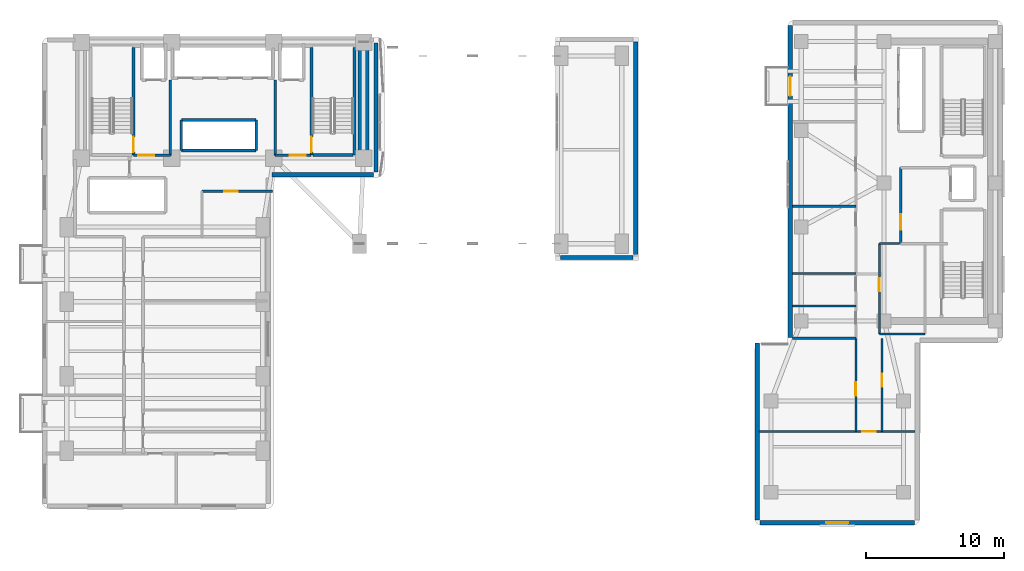
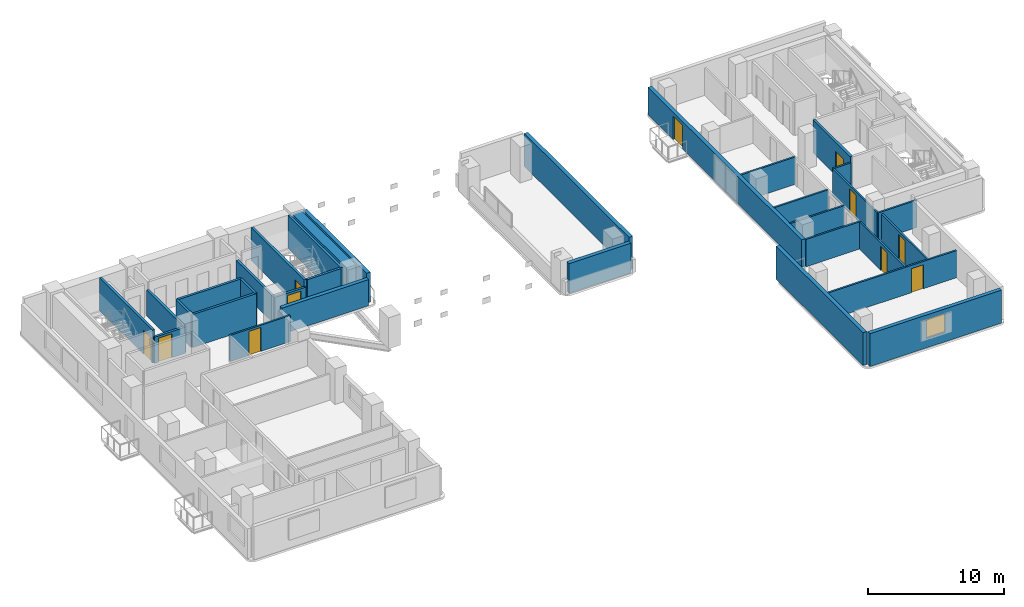
# One storey, part 9 of 14: 32 walls, 11 doors, 1 window, 12 openings.
"""IFC4 building model written with IfcOpenShell, lengths in metres."""

from ifc_helpers import new_model, si_unit, direction, frame, frame_2d, origin, place, context, subcontext, project, spatial, rectangle, extrude, material, layer, layer_set, type_object, element, fill, save


model = new_model("IFC4")

# Units and contexts
model_context = context("Model", 3, precision=1e-05, world=origin(), true_north=direction((0.0, 1.0)))
body_context = subcontext(model_context, "Body", "Model", "MODEL_VIEW")
ifc_project = project(units=[si_unit("LENGTHUNIT", "METRE"), si_unit("AREAUNIT", "SQUARE_METRE"), si_unit("VOLUMEUNIT", "CUBIC_METRE"), si_unit("PLANEANGLEUNIT", "RADIAN"), si_unit("MASSUNIT", "GRAM", prefix="KILO")], contexts=[model_context])

# Site, building, storey
site_placement = place(None, origin())
site = spatial("IfcSite", under=ifc_project, at=site_placement, CompositionType="ELEMENT")
building_placement = place(site_placement, origin())
building = spatial("IfcBuilding", under=site, at=building_placement, Name="Kuzgunbayir Cultural Tower", CompositionType="ELEMENT")
storey_placement = place(building_placement, frame((0.0, 0.0, 36.60009765625)))
storey = spatial("IfcBuildingStorey", under=building, at=storey_placement, Name="L09", CompositionType="ELEMENT", Elevation=36.60009765625)

# Walls
ifc_material_1 = material(Name="Concrete C60/75", Category="concrete")
ifc_layer_1 = layer(ifc_material_1, 0.800048828125)
ifc_layer_set_1 = layer_set([ifc_layer_1], Name="Concrete C60/75")
wall_type_1 = type_object("IfcWallType", Name="WAL-CORE-800", PredefinedType="SHEAR", material=ifc_layer_set_1)
wall_1_placement = place(storey_placement, frame((26.89990234375, 33.800048828125, 0.0), z_axis=(0.0, 0.0, 1.0), x_axis=(0.0, 1.0, 0.0)))
element("IfcWall", 1, at=wall_1_placement, inside=storey, type_object=wall_type_1, Name="L09 T1 Core East Shear Wall", PredefinedType="SHEAR", context=body_context, shape_type="SweptSolid", body=[
    extrude(rectangle(XDim=7.949951171875, YDim=0.800048828125, at=frame_2d((3.97509765625, 0.0))), origin(), (0.0, 0.0, 1.0), 2.9599609375),
])
ifc_material_2 = material(Name="Travertine Buff Ashlar", Category="masonry")
ifc_layer_2 = layer(ifc_material_2, 0.320068359375)
ifc_layer_set_2 = layer_set([ifc_layer_2], Name="Travertine Buff Ashlar")
wall_type_2 = type_object("IfcWallType", Name="WAL-EXT-STONE-320", PredefinedType="STANDARD", material=ifc_layer_set_2)
wall_2_placement = place(storey_placement, frame((27.800048828125, 32.800048828125, 0.0), z_axis=(0.0, 0.0, 1.0), x_axis=(0.0, 1.0, 0.0)))
element("IfcWall", 2, at=wall_2_placement, inside=storey, type_object=wall_type_2, Name="L09 Rear Core East Limestone Wall", PredefinedType="STANDARD", context=body_context, shape_type="SweptSolid", body=[
    extrude(rectangle(XDim=9.349853515625, YDim=0.320068359375, at=frame_2d((4.6748046875, 0.0))), origin(), (0.0, 0.0, 1.0), 2.669921875),
])
wall_3_placement = place(storey_placement, frame((20.25, 32.60009765625, 0.0), z_axis=(0.0, 0.0, 1.0), x_axis=(1.0, 0.0, 0.0)))
element("IfcWall", 3, at=wall_3_placement, inside=storey, type_object=wall_type_2, Name="L09 Core South Soffit Wall", PredefinedType="STANDARD", context=body_context, shape_type="SweptSolid", body=[
    extrude(rectangle(XDim=7.35009765625, YDim=0.320068359375, at=frame_2d((3.675048828125, 0.0))), origin(), (0.0, 0.0, 1.0), 2.349853515625),
])
wall_4_placement = place(storey_placement, frame((41.14990234375, 26.60009765625, 0.0), z_axis=(0.0, 0.0, 1.0), x_axis=(1.0, 0.0, 0.0)))
element("IfcWall", 4, at=wall_4_placement, inside=storey, type_object=wall_type_2, Name="L09 Portal Pier South Wall", PredefinedType="STANDARD", context=body_context, shape_type="SweptSolid", body=[
    extrude(rectangle(XDim=5.25, YDim=0.320068359375, at=frame_2d((2.625, 0.0))), origin(), (0.0, 0.0, 1.0), 2.669921875),
])
wall_5_placement = place(storey_placement, frame((46.60009765625, 26.800048828125, 0.0), z_axis=(0.0, 0.0, 1.0), x_axis=(0.0, 1.0, 0.0)))
element("IfcWall", 5, at=wall_5_placement, inside=storey, type_object=wall_type_2, Name="L09 Portal Pier East Wall", PredefinedType="STANDARD", context=body_context, shape_type="SweptSolid", body=[
    extrude(rectangle(XDim=15.39990234375, YDim=0.320068359375, at=frame_2d((7.699951171875, 0.0))), origin(), (0.0, 0.0, 1.0), 2.9599609375),
])

# Wall, opening, door
wall_6_placement = place(storey_placement, frame((57.800048828125, 43.39990234375, 0.0), z_axis=(0.0, 0.0, 1.0), x_axis=(0.0, -1.0, 0.0)))
wall_6 = element("IfcWall", 6, at=wall_6_placement, inside=storey, type_object=wall_type_2, Name="L09 Companion West Limestone Wall", PredefinedType="STANDARD", context=body_context, shape_type="SweptSolid", body=[
    extrude(rectangle(XDim=22.599853515625, YDim=0.320068359375, at=frame_2d((11.2998046875, 0.0))), origin(), (0.0, 0.0, 1.0), 2.449951171875),
])
opening_1_placement = place(wall_6_placement, frame((3.699951171875, 0.0, 0.0)))
opening_1 = element("IfcOpeningElement", 7, at=opening_1_placement, cuts=wall_6, Name="Opening BD-15", PredefinedType="OPENING", context=body_context, shape_type="SweptSolid", body=[
    extrude(rectangle(XDim=1.39990234375, YDim=2.10009765625, at=frame_2d((0.699951171875, 1.050048828125))), frame((0.0, 0.169921875, 0.0), z_axis=(0.0, -1.0, 0.0), x_axis=(1.0, 0.0, 0.0)), (0.0, 0.0, 1.0), 0.340087890625),
])
ifc_material_3 = material(Name="Thermally Broken Glazed Aluminium", Category="aluminium")
door_type_1 = type_object("IfcDoorType", Name="DR-BALCONY-150", OperationType="SLIDING_TO_RIGHT", PredefinedType="DOOR", material=ifc_material_3)
door_1_placement = place(opening_1_placement, origin())
door_1 = element("IfcDoor", 8, at=door_1_placement, inside=storey, type_object=door_type_1, Name="L09 Companion Balcony Door BAL-L09-T2W3", OperationType="SLIDING_TO_RIGHT", OverallHeight=2.10009765625, OverallWidth=1.39990234375, PredefinedType="DOOR", context=body_context, shape_type="SweptSolid", body=[
    extrude(rectangle(XDim=1.39990234375, YDim=2.10009765625, at=frame_2d((0.699951171875, 1.050048828125))), frame((0.0, 0.02490234375, 0.0), z_axis=(0.0, -1.0, 0.0), x_axis=(1.0, 0.0, 0.0)), (0.0, 0.0, 1.0), 0.050048828125),
])
fill(opening_1, door_1)

# Wall, opening, window
wall_7_placement = place(storey_placement, frame((55.60009765625, 7.39990234375, 0.0), z_axis=(0.0, 0.0, 1.0), x_axis=(1.0, 0.0, 0.0)))
wall_7 = element("IfcWall", 9, at=wall_7_placement, inside=storey, type_object=wall_type_2, Name="L09 Companion Wing B South Wall", PredefinedType="STANDARD", context=body_context, shape_type="SweptSolid", body=[
    extrude(rectangle(XDim=11.199951171875, YDim=0.320068359375, at=frame_2d((5.60009765625, 0.0))), origin(), (0.0, 0.0, 1.0), 2.9599609375),
])
opening_2_placement = place(wall_7_placement, frame((4.800048828125, 0.0, 0.85009765625)))
opening_2 = element("IfcOpeningElement", 10, at=opening_2_placement, cuts=wall_7, Name="Opening WC-16", PredefinedType="OPENING", context=body_context, shape_type="SweptSolid", body=[
    extrude(rectangle(XDim=1.60009765625, YDim=1.699951171875, at=frame_2d((0.800048828125, 0.85009765625))), frame((0.0, 0.169921875, 0.0), z_axis=(0.0, -1.0, 0.0), x_axis=(1.0, 0.0, 0.0)), (0.0, 0.0, 1.0), 0.340087890625),
])
ifc_material_4 = material(Name="Solar-Control Triple Glazing", Category="glass")
window_type = type_object("IfcWindowType", Name="WIN-COMP-16", PartitioningType="SINGLE_PANEL", PredefinedType="WINDOW", material=ifc_material_4)
window_placement = place(opening_2_placement, origin())
window = element("IfcWindow", 11, at=window_placement, inside=storey, type_object=window_type, Name="L09 Companion South Window", OverallHeight=1.699951171875, OverallWidth=1.60009765625, PartitioningType="SINGLE_PANEL", PredefinedType="WINDOW", context=body_context, shape_type="SweptSolid", body=[
    extrude(rectangle(XDim=1.60009765625, YDim=1.699951171875, at=frame_2d((0.800048828125, 0.85009765625))), frame((0.0, 0.030029296875, 0.0), z_axis=(0.0, -1.0, 0.0), x_axis=(1.0, 0.0, 0.0)), (0.0, 0.0, 1.0), 0.06005859375),
])
fill(opening_2, window)

# Wall
wall_8_placement = place(storey_placement, frame((55.39990234375, 20.39990234375, 0.0), z_axis=(0.0, 0.0, 1.0), x_axis=(0.0, -1.0, 0.0)))
element("IfcWall", 12, at=wall_8_placement, inside=storey, type_object=wall_type_2, Name="L09 Companion Wing B West Wall", PredefinedType="STANDARD", context=body_context, shape_type="SweptSolid", body=[
    extrude(rectangle(XDim=12.7998046875, YDim=0.320068359375, at=frame_2d((6.39990234375, 0.0))), origin(), (0.0, 0.0, 1.0), 2.9599609375),
])

# Wall, opening, door
ifc_material_5 = material(Name="Acoustic Double-Stud Drywall", Category="gypsum")
ifc_layer_3 = layer(ifc_material_5, 0.14990234375)
ifc_layer_set_3 = layer_set([ifc_layer_3], Name="Acoustic Double-Stud Drywall")
wall_type_3 = type_object("IfcWallType", Name="WAL-PART-ACOUSTIC-150", PredefinedType="PARTITIONING", material=ifc_layer_set_3)
wall_9_placement = place(storey_placement, frame((15.199951171875, 31.39990234375, 0.0), z_axis=(0.0, 0.0, 1.0), x_axis=(1.0, 0.0, 0.0)))
wall_9 = element("IfcWall", 13, at=wall_9_placement, inside=storey, type_object=wall_type_3, Name="L09 Central Sky Salon North Wall", PredefinedType="PARTITIONING", context=body_context, shape_type="SweptSolid", body=[
    extrude(rectangle(XDim=5.10009765625, YDim=0.14990234375, at=frame_2d((2.550048828125, 0.0))), origin(), (0.0, 0.0, 1.0), 2.349853515625),
])
opening_3_placement = place(wall_9_placement, frame((1.60009765625, 0.0, 0.0)))
opening_3 = element("IfcOpeningElement", 14, at=opening_3_placement, cuts=wall_9, Name="Opening DI-100", PredefinedType="OPENING", context=body_context, shape_type="SweptSolid", body=[
    extrude(rectangle(XDim=1.0, YDim=2.14990234375, at=frame_2d((0.5, 1.074951171875))), frame((0.0, 0.0849609375, 0.0), z_axis=(0.0, -1.0, 0.0), x_axis=(1.0, 0.0, 0.0)), (0.0, 0.0, 1.0), 0.169921875),
])
ifc_material_6 = material(Name="Veneered Oak Single Leaf", Category="wood")
door_type_2 = type_object("IfcDoorType", Name="DR-INT-100", OperationType="NOTDEFINED", PredefinedType="DOOR", material=ifc_material_6)
door_2_placement = place(opening_3_placement, origin())
door_2 = element("IfcDoor", 15, at=door_2_placement, inside=storey, type_object=door_type_2, Name="L09 Central Sky Salon Door", OperationType="SINGLE_SWING_RIGHT", OverallHeight=2.14990234375, OverallWidth=1.0, PredefinedType="DOOR", context=body_context, shape_type="SweptSolid", body=[
    extrude(rectangle(XDim=1.0, YDim=2.14990234375, at=frame_2d((0.5, 1.074951171875))), frame((0.0, 0.02490234375, 0.0), z_axis=(0.0, -1.0, 0.0), x_axis=(1.0, 0.0, 0.0)), (0.0, 0.0, 1.0), 0.050048828125),
])
fill(opening_3, door_2)

wall_10_placement = place(storey_placement, frame((64.25, 21.050048828125, 0.0), z_axis=(0.0, 0.0, 1.0), x_axis=(0.0, 1.0, 0.0)))
wall_10 = element("IfcWall", 16, at=wall_10_placement, inside=storey, type_object=wall_type_3, Name="L09 Companion Archive West Wall", PredefinedType="PARTITIONING", context=body_context, shape_type="SweptSolid", body=[
    extrude(rectangle(XDim=6.550048828125, YDim=0.14990234375, at=frame_2d((3.27490234375, 0.0))), origin(), (0.0, 0.0, 1.0), 2.449951171875),
])
opening_4_placement = place(wall_10_placement, frame((3.10009765625, 0.0, 0.0)))
opening_4 = element("IfcOpeningElement", 17, at=opening_4_placement, cuts=wall_10, Name="Opening DI-90", PredefinedType="OPENING", context=body_context, shape_type="SweptSolid", body=[
    extrude(rectangle(XDim=0.949951171875, YDim=2.14990234375, at=frame_2d((0.47509765625, 1.074951171875))), frame((0.0, 0.0849609375, 0.0), z_axis=(0.0, -1.0, 0.0), x_axis=(1.0, 0.0, 0.0)), (0.0, 0.0, 1.0), 0.169921875),
])
door_type_3 = type_object("IfcDoorType", Name="DR-INT-90", OperationType="NOTDEFINED", PredefinedType="DOOR", material=ifc_material_6)
door_3_placement = place(opening_4_placement, origin())
door_3 = element("IfcDoor", 18, at=door_3_placement, inside=storey, type_object=door_type_3, Name="L09 Companion Archive Door", OperationType="SINGLE_SWING_RIGHT", OverallHeight=2.14990234375, OverallWidth=0.949951171875, PredefinedType="DOOR", context=body_context, shape_type="SweptSolid", body=[
    extrude(rectangle(XDim=0.949951171875, YDim=2.14990234375, at=frame_2d((0.47509765625, 1.074951171875))), frame((0.0, 0.02490234375, 0.0), z_axis=(0.0, -1.0, 0.0), x_axis=(1.0, 0.0, 0.0)), (0.0, 0.0, 1.0), 0.050048828125),
])
fill(opening_4, door_3)

# Walls
wall_11_placement = place(storey_placement, frame((64.25, 21.050048828125, 0.0), z_axis=(0.0, 0.0, 1.0), x_axis=(1.0, 0.0, 0.0)))
element("IfcWall", 19, at=wall_11_placement, inside=storey, type_object=wall_type_3, Name="L09 Companion Archive South Wall", PredefinedType="PARTITIONING", context=body_context, shape_type="SweptSolid", body=[
    extrude(rectangle(XDim=3.300048828125, YDim=0.14990234375, at=frame_2d((1.64990234375, 0.0))), origin(), (0.0, 0.0, 1.0), 2.449951171875),
])
wall_12_placement = place(storey_placement, frame((64.25, 27.60009765625, 0.0), z_axis=(0.0, 0.0, 1.0), x_axis=(1.0, 0.0, 0.0)))
element("IfcWall", 20, at=wall_12_placement, inside=storey, type_object=wall_type_3, Name="L09 Companion Archive North Wall", PredefinedType="PARTITIONING", context=body_context, shape_type="SweptSolid", body=[
    extrude(rectangle(XDim=1.469970703125, YDim=0.14990234375, at=frame_2d((0.73486328125, 0.0))), origin(), (0.0, 0.0, 1.0), 2.449951171875),
])
wall_13_placement = place(storey_placement, frame((57.949951171875, 30.31005859375, 0.0), z_axis=(0.0, 0.0, 1.0), x_axis=(1.0, 0.0, 0.0)))
element("IfcWall", 21, at=wall_13_placement, inside=storey, type_object=wall_type_3, Name="L09 Companion Studio Partition 1", PredefinedType="PARTITIONING", context=body_context, shape_type="SweptSolid", body=[
    extrude(rectangle(XDim=4.60009765625, YDim=0.14990234375, at=frame_2d((2.300048828125, 0.0))), origin(), (0.0, 0.0, 1.0), 2.449951171875),
])

# Wall, opening, door
wall_14_placement = place(storey_placement, frame((62.550048828125, 14.0, 0.0), z_axis=(0.0, 0.0, 1.0), x_axis=(0.0, 1.0, 0.0)))
wall_14 = element("IfcWall", 22, at=wall_14_placement, inside=storey, type_object=wall_type_3, Name="L09 Companion South Corridor West Wall", PredefinedType="PARTITIONING", context=body_context, shape_type="SweptSolid", body=[
    extrude(rectangle(XDim=6.75, YDim=0.14990234375, at=frame_2d((3.375, 0.0))), origin(), (0.0, 0.0, 1.0), 2.449951171875),
])
opening_5_placement = place(wall_14_placement, frame((2.60009765625, 0.0, 0.0)))
opening_5 = element("IfcOpeningElement", 23, at=opening_5_placement, cuts=wall_14, Name="Opening DI-90", PredefinedType="OPENING", context=body_context, shape_type="SweptSolid", body=[
    extrude(rectangle(XDim=0.949951171875, YDim=2.14990234375, at=frame_2d((0.47509765625, 1.074951171875))), frame((0.0, 0.0849609375, 0.0), z_axis=(0.0, -1.0, 0.0), x_axis=(1.0, 0.0, 0.0)), (0.0, 0.0, 1.0), 0.169921875),
])
door_4_placement = place(opening_5_placement, origin())
door_4 = element("IfcDoor", 24, at=door_4_placement, inside=storey, type_object=door_type_3, Name="L09 Companion West Atelier Door", OperationType="SINGLE_SWING_RIGHT", OverallHeight=2.14990234375, OverallWidth=0.949951171875, PredefinedType="DOOR", context=body_context, shape_type="SweptSolid", body=[
    extrude(rectangle(XDim=0.949951171875, YDim=2.14990234375, at=frame_2d((0.47509765625, 1.074951171875))), frame((0.0, 0.02490234375, 0.0), z_axis=(0.0, -1.0, 0.0), x_axis=(1.0, 0.0, 0.0)), (0.0, 0.0, 1.0), 0.050048828125),
])
fill(opening_5, door_4)

wall_15_placement = place(storey_placement, frame((55.550048828125, 14.0, 0.0), z_axis=(0.0, 0.0, 1.0), x_axis=(1.0, 0.0, 0.0)))
wall_15 = element("IfcWall", 25, at=wall_15_placement, inside=storey, type_object=wall_type_3, Name="L09 Companion South Gallery Wall", PredefinedType="PARTITIONING", context=body_context, shape_type="SweptSolid", body=[
    extrude(rectangle(XDim=11.300048828125, YDim=0.14990234375, at=frame_2d((5.64990234375, 0.0))), origin(), (0.0, 0.0, 1.0), 2.449951171875),
])
opening_6_placement = place(wall_15_placement, frame((7.449951171875, 0.0, 0.0)))
opening_6 = element("IfcOpeningElement", 26, at=opening_6_placement, cuts=wall_15, Name="Opening DI-100", PredefinedType="OPENING", context=body_context, shape_type="SweptSolid", body=[
    extrude(rectangle(XDim=1.0, YDim=2.14990234375, at=frame_2d((0.5, 1.074951171875))), frame((0.0, 0.0849609375, 0.0), z_axis=(0.0, -1.0, 0.0), x_axis=(1.0, 0.0, 0.0)), (0.0, 0.0, 1.0), 0.169921875),
])
door_5_placement = place(opening_6_placement, origin())
door_5 = element("IfcDoor", 27, at=door_5_placement, inside=storey, type_object=door_type_2, Name="L09 Companion South Salon Door", OperationType="SINGLE_SWING_RIGHT", OverallHeight=2.14990234375, OverallWidth=1.0, PredefinedType="DOOR", context=body_context, shape_type="SweptSolid", body=[
    extrude(rectangle(XDim=1.0, YDim=2.14990234375, at=frame_2d((0.5, 1.074951171875))), frame((0.0, 0.02490234375, 0.0), z_axis=(0.0, -1.0, 0.0), x_axis=(1.0, 0.0, 0.0)), (0.0, 0.0, 1.0), 0.050048828125),
])
fill(opening_6, door_5)

wall_16_placement = place(storey_placement, frame((64.449951171875, 14.0, 0.0), z_axis=(0.0, 0.0, 1.0), x_axis=(0.0, 1.0, 0.0)))
wall_16 = element("IfcWall", 28, at=wall_16_placement, inside=storey, type_object=wall_type_3, Name="L09 Companion South Corridor East Wall", PredefinedType="PARTITIONING", context=body_context, shape_type="SweptSolid", body=[
    extrude(rectangle(XDim=6.75, YDim=0.14990234375, at=frame_2d((3.375, 0.0))), origin(), (0.0, 0.0, 1.0), 2.449951171875),
])
opening_7_placement = place(wall_16_placement, frame((3.239990234375, 0.0, 0.0)))
opening_7 = element("IfcOpeningElement", 29, at=opening_7_placement, cuts=wall_16, Name="Opening DI-90", PredefinedType="OPENING", context=body_context, shape_type="SweptSolid", body=[
    extrude(rectangle(XDim=0.949951171875, YDim=2.14990234375, at=frame_2d((0.47509765625, 1.074951171875))), frame((0.0, 0.0849609375, 0.0), z_axis=(0.0, -1.0, 0.0), x_axis=(1.0, 0.0, 0.0)), (0.0, 0.0, 1.0), 0.169921875),
])
door_6_placement = place(opening_7_placement, origin())
door_6 = element("IfcDoor", 30, at=door_6_placement, inside=storey, type_object=door_type_3, Name="L09 Companion East Studio Door", OperationType="SINGLE_SWING_LEFT", OverallHeight=2.14990234375, OverallWidth=0.949951171875, PredefinedType="DOOR", context=body_context, shape_type="SweptSolid", body=[
    extrude(rectangle(XDim=0.949951171875, YDim=2.14990234375, at=frame_2d((0.47509765625, 1.074951171875))), frame((0.0, 0.02490234375, 0.0), z_axis=(0.0, -1.0, 0.0), x_axis=(1.0, 0.0, 0.0)), (0.0, 0.0, 1.0), 0.050048828125),
])
fill(opening_7, door_6)

# Wall
ifc_material_7 = material(Name="Aerated Concrete Blockwork", Category="masonry")
ifc_layer_4 = layer(ifc_material_7, 0.199951171875)
ifc_layer_set_4 = layer_set([ifc_layer_4], Name="Aerated Concrete Blockwork")
wall_type_4 = type_object("IfcWallType", Name="WAL-PART-FIRE-200", PredefinedType="PARTITIONING", material=ifc_layer_set_4)
wall_17_placement = place(storey_placement, frame((12.89990234375, 34.0, 0.0), z_axis=(0.0, 0.0, 1.0), x_axis=(0.0, 1.0, 0.0)))
element("IfcWall", 31, at=wall_17_placement, inside=storey, type_object=wall_type_4, Name="L09 FFL-1 Lobby East Fire Wall", PredefinedType="PARTITIONING", context=body_context, shape_type="SweptSolid", body=[
    extrude(rectangle(XDim=5.449951171875, YDim=0.199951171875, at=frame_2d((2.72509765625, 0.0))), origin(), (0.0, 0.0, 1.0), 2.349853515625),
])

# Wall, opening, door
wall_18_placement = place(storey_placement, frame((10.239990234375, 34.0, 0.0), z_axis=(0.0, 0.0, 1.0), x_axis=(1.0, 0.0, 0.0)))
wall_18 = element("IfcWall", 32, at=wall_18_placement, inside=storey, type_object=wall_type_4, Name="L09 FFL-1 Lobby South Fire Wall", PredefinedType="PARTITIONING", context=body_context, shape_type="SweptSolid", body=[
    extrude(rectangle(XDim=2.659912109375, YDim=0.199951171875, at=frame_2d((1.330078125, 0.0))), origin(), (0.0, 0.0, 1.0), 2.349853515625),
])
opening_8_placement = place(wall_18_placement, frame((0.35009765625, 0.0, 0.0)))
opening_8 = element("IfcOpeningElement", 33, at=opening_8_placement, cuts=wall_18, Name="Opening DR-FFL-90", PredefinedType="OPENING", context=body_context, shape_type="SweptSolid", body=[
    extrude(rectangle(XDim=1.14990234375, YDim=2.14990234375, at=frame_2d((0.574951171875, 1.074951171875))), frame((0.0, 0.10986328125, 0.0), z_axis=(0.0, -1.0, 0.0), x_axis=(1.0, 0.0, 0.0)), (0.0, 0.0, 1.0), 0.219970703125),
])
ifc_material_8 = material(Name="Steel S355J2", Category="steel")
door_type_4 = type_object("IfcDoorType", Name="DR-FFL-90", OperationType="NOTDEFINED", PredefinedType="DOOR", material=ifc_material_8)
door_7_placement = place(opening_8_placement, origin())
door_7 = element("IfcDoor", 34, at=door_7_placement, inside=storey, type_object=door_type_4, Name="L09 Firefighting Lobby 1 Door", OperationType="SINGLE_SWING_LEFT", OverallHeight=2.14990234375, OverallWidth=1.14990234375, PredefinedType="DOOR", context=body_context, shape_type="SweptSolid", body=[
    extrude(rectangle(XDim=1.14990234375, YDim=2.14990234375, at=frame_2d((0.574951171875, 1.074951171875))), frame((0.0, 0.02490234375, 0.0), z_axis=(0.0, -1.0, 0.0), x_axis=(1.0, 0.0, 0.0)), (0.0, 0.0, 1.0), 0.050048828125),
])
fill(opening_8, door_7)

# Wall
wall_19_placement = place(storey_placement, frame((20.5, 34.0, 0.0), z_axis=(0.0, 0.0, 1.0), x_axis=(0.0, 1.0, 0.0)))
element("IfcWall", 35, at=wall_19_placement, inside=storey, type_object=wall_type_4, Name="L09 FFL-2 Lobby West Fire Wall", PredefinedType="PARTITIONING", context=body_context, shape_type="SweptSolid", body=[
    extrude(rectangle(XDim=5.449951171875, YDim=0.199951171875, at=frame_2d((2.72509765625, 0.0))), origin(), (0.0, 0.0, 1.0), 2.349853515625),
])

# Wall, opening, door
wall_20_placement = place(storey_placement, frame((20.5, 34.0, 0.0), z_axis=(0.0, 0.0, 1.0), x_axis=(1.0, 0.0, 0.0)))
wall_20 = element("IfcWall", 36, at=wall_20_placement, inside=storey, type_object=wall_type_4, Name="L09 FFL-2 Lobby South Fire Wall", PredefinedType="PARTITIONING", context=body_context, shape_type="SweptSolid", body=[
    extrude(rectangle(XDim=2.60009765625, YDim=0.199951171875, at=frame_2d((1.300048828125, 0.0))), origin(), (0.0, 0.0, 1.0), 2.349853515625),
])
opening_9_placement = place(wall_20_placement, frame((1.050048828125, 0.0, 0.0)))
opening_9 = element("IfcOpeningElement", 37, at=opening_9_placement, cuts=wall_20, Name="Opening DR-FFL-90", PredefinedType="OPENING", context=body_context, shape_type="SweptSolid", body=[
    extrude(rectangle(XDim=1.14990234375, YDim=2.14990234375, at=frame_2d((0.574951171875, 1.074951171875))), frame((0.0, 0.10986328125, 0.0), z_axis=(0.0, -1.0, 0.0), x_axis=(1.0, 0.0, 0.0)), (0.0, 0.0, 1.0), 0.219970703125),
])
door_8_placement = place(opening_9_placement, origin())
door_8 = element("IfcDoor", 38, at=door_8_placement, inside=storey, type_object=door_type_4, Name="L09 Firefighting Lobby 2 Door", OperationType="SINGLE_SWING_RIGHT", OverallHeight=2.14990234375, OverallWidth=1.14990234375, PredefinedType="DOOR", context=body_context, shape_type="SweptSolid", body=[
    extrude(rectangle(XDim=1.14990234375, YDim=2.14990234375, at=frame_2d((0.574951171875, 1.074951171875))), frame((0.0, 0.02490234375, 0.0), z_axis=(0.0, -1.0, 0.0), x_axis=(1.0, 0.0, 0.0)), (0.0, 0.0, 1.0), 0.050048828125),
])
fill(opening_9, door_8)

wall_21_placement = place(storey_placement, frame((65.800048828125, 27.60009765625, 0.0), z_axis=(0.0, 0.0, 1.0), x_axis=(0.0, 1.0, 0.0)))
wall_21 = element("IfcWall", 39, at=wall_21_placement, inside=storey, type_object=wall_type_4, Name="L09 FFL-3 Lobby West Fire Wall", PredefinedType="PARTITIONING", context=body_context, shape_type="SweptSolid", body=[
    extrude(rectangle(XDim=5.5, YDim=0.199951171875, at=frame_2d((2.75, 0.0))), origin(), (0.0, 0.0, 1.0), 2.9599609375),
])
opening_10_placement = place(wall_21_placement, frame((1.0, 0.0, 0.0)))
opening_10 = element("IfcOpeningElement", 40, at=opening_10_placement, cuts=wall_21, Name="Opening DR-FFL-90", PredefinedType="OPENING", context=body_context, shape_type="SweptSolid", body=[
    extrude(rectangle(XDim=1.14990234375, YDim=2.14990234375, at=frame_2d((0.574951171875, 1.074951171875))), frame((0.0, 0.10986328125, 0.0), z_axis=(0.0, -1.0, 0.0), x_axis=(1.0, 0.0, 0.0)), (0.0, 0.0, 1.0), 0.219970703125),
])
door_9_placement = place(opening_10_placement, origin())
door_9 = element("IfcDoor", 41, at=door_9_placement, inside=storey, type_object=door_type_4, Name="L09 Firefighting Lobby 3 Door", OperationType="SINGLE_SWING_RIGHT", OverallHeight=2.14990234375, OverallWidth=1.14990234375, PredefinedType="DOOR", context=body_context, shape_type="SweptSolid", body=[
    extrude(rectangle(XDim=1.14990234375, YDim=2.14990234375, at=frame_2d((0.574951171875, 1.074951171875))), frame((0.0, 0.02490234375, 0.0), z_axis=(0.0, -1.0, 0.0), x_axis=(1.0, 0.0, 0.0)), (0.0, 0.0, 1.0), 0.050048828125),
])
fill(opening_10, door_9)

# Walls
ifc_material_9 = material(Name="Moisture-Resistant Tile Partition", Category="gypsum")
ifc_layer_5 = layer(ifc_material_9, 0.14990234375)
ifc_layer_set_5 = layer_set([ifc_layer_5], Name="Moisture-Resistant Tile Partition")
wall_type_5 = type_object("IfcWallType", Name="WAL-PART-WET-150", PredefinedType="PARTITIONING", material=ifc_layer_set_5)
for number, where, z_axis, x_axis, name in (
    (42, (57.949951171875, 20.75, 0.0), (0.0, 0.0, 1.0), (1.0, 0.0, 0.0), "L09 Companion WC South Wall"),
    (43, (57.949951171875, 23.10009765625, 0.0), (0.0, 0.0, 1.0), (1.0, 0.0, 0.0), "L09 Companion WC North Wall"),
    (44, (57.949951171875, 25.449951171875, 0.0), (0.0, 0.0, 1.0), (1.0, 0.0, 0.0), "L09 Companion Accessible WC Wall"),
):
    element("IfcWall", number, at=place(storey_placement, frame(where, z_axis=z_axis, x_axis=x_axis)), inside=storey, type_object=wall_type_5, Name=name, PredefinedType="PARTITIONING", context=body_context, shape_type="SweptSolid", body=[
        extrude(rectangle(XDim=4.60009765625, YDim=0.14990234375, at=frame_2d((2.300048828125, 0.0))), origin(), (0.0, 0.0, 1.0), 2.449951171875),
    ])
ifc_material_10 = material(Name="Concrete C40/50", Category="concrete")
ifc_layer_6 = layer(ifc_material_10, 0.199951171875)
ifc_layer_set_6 = layer_set([ifc_layer_6], Name="Concrete C40/50")
wall_type_6 = type_object("IfcWallType", Name="WAL-SHAFT-200", PredefinedType="MOVABLE", material=ifc_layer_set_6)
for number, where, z_axis, x_axis, name in (
    (45, (13.699951171875, 34.35009765625, 0.0), (0.0, 0.0, 1.0), (1.0, 0.0, 0.0), "L09 Mid-Rise Lift Front Wall"),
    (46, (13.699951171875, 36.550048828125, 0.0), (0.0, 0.0, 1.0), (1.0, 0.0, 0.0), "L09 Mid-Rise Lift Shaft North Wall"),
):
    element("IfcWall", number, at=place(storey_placement, frame(where, z_axis=z_axis, x_axis=x_axis)), inside=storey, type_object=wall_type_6, Name=name, PredefinedType="MOVABLE", context=body_context, shape_type="SweptSolid", body=[
        extrude(rectangle(XDim=5.420166015625, YDim=0.199951171875, at=frame_2d((2.7099609375, 0.0))), origin(), (0.0, 0.0, 1.0), 2.9599609375),
    ])
for number, where, z_axis, x_axis, name in (
    (47, (13.699951171875, 34.35009765625, 0.0), (0.0, 0.0, 1.0), (0.0, 1.0, 0.0), "L09 Mid-Rise Lift Shaft West Wall"),
    (48, (19.1201171875, 34.35009765625, 0.0), (0.0, 0.0, 1.0), (0.0, 1.0, 0.0), "L09 Mid-Rise Lift Shaft East Wall"),
):
    element("IfcWall", number, at=place(storey_placement, frame(where, z_axis=z_axis, x_axis=x_axis)), inside=storey, type_object=wall_type_6, Name=name, PredefinedType="MOVABLE", context=body_context, shape_type="SweptSolid", body=[
        extrude(rectangle(XDim=2.199951171875, YDim=0.199951171875, at=frame_2d((1.10009765625, 0.0))), origin(), (0.0, 0.0, 1.0), 2.9599609375),
    ])

# Wall, opening, door
ifc_layer_7 = layer(ifc_material_10, 0.199951171875)
ifc_layer_set_7 = layer_set([ifc_layer_7], Name="Concrete C40/50")
wall_type_7 = type_object("IfcWallType", Name="WAL-STAIR-RC-200", PredefinedType="SHEAR", material=ifc_layer_set_7)
wall_22_placement = place(storey_placement, frame((10.239990234375, 34.02001953125, 0.0), z_axis=(0.0, 0.0, 1.0), x_axis=(0.0, 1.0, 0.0)))
wall_22 = element("IfcWall", 49, at=wall_22_placement, inside=storey, type_object=wall_type_7, Name="L09 Stair ST-1 East Structural Wall", PredefinedType="SHEAR", context=body_context, shape_type="SweptSolid", body=[
    extrude(rectangle(XDim=7.780029296875, YDim=0.199951171875, at=frame_2d((3.89013671875, 0.0))), origin(), (0.0, 0.0, 1.0), 2.9599609375),
])
opening_11_placement = place(wall_22_placement, frame((0.219970703125, 0.0, 0.0)))
opening_11 = element("IfcOpeningElement", 50, at=opening_11_placement, cuts=wall_22, Name="Opening DR-STAIR-90", PredefinedType="OPENING", context=body_context, shape_type="SweptSolid", body=[
    extrude(rectangle(XDim=1.10009765625, YDim=2.14990234375, at=frame_2d((0.550048828125, 1.074951171875))), frame((0.0, 0.10986328125, 0.0), z_axis=(0.0, -1.0, 0.0), x_axis=(1.0, 0.0, 0.0)), (0.0, 0.0, 1.0), 0.219970703125),
])
door_type_5 = type_object("IfcDoorType", Name="DR-STAIR-90", OperationType="NOTDEFINED", PredefinedType="DOOR", material=ifc_material_8)
door_10_placement = place(opening_11_placement, origin())
door_10 = element("IfcDoor", 51, at=door_10_placement, inside=storey, type_object=door_type_5, Name="L09 Stair ST-1 Fire Door", OperationType="SINGLE_SWING_LEFT", OverallHeight=2.14990234375, OverallWidth=1.10009765625, PredefinedType="DOOR", context=body_context, shape_type="SweptSolid", body=[
    extrude(rectangle(XDim=1.10009765625, YDim=2.14990234375, at=frame_2d((0.550048828125, 1.074951171875))), frame((0.0, 0.02490234375, 0.0), z_axis=(0.0, -1.0, 0.0), x_axis=(1.0, 0.0, 0.0)), (0.0, 0.0, 1.0), 0.050048828125),
])
fill(opening_11, door_10)

wall_23_placement = place(storey_placement, frame((23.1201171875, 34.02001953125, 0.0), z_axis=(0.0, 0.0, 1.0), x_axis=(0.0, 1.0, 0.0)))
wall_23 = element("IfcWall", 52, at=wall_23_placement, inside=storey, type_object=wall_type_7, Name="L09 Stair ST-2 West Structural Wall", PredefinedType="SHEAR", context=body_context, shape_type="SweptSolid", body=[
    extrude(rectangle(XDim=7.780029296875, YDim=0.199951171875, at=frame_2d((3.89013671875, 0.0))), origin(), (0.0, 0.0, 1.0), 2.9599609375),
])
opening_12_placement = place(wall_23_placement, frame((0.219970703125, 0.0, 0.0)))
opening_12 = element("IfcOpeningElement", 53, at=opening_12_placement, cuts=wall_23, Name="Opening DR-STAIR-90", PredefinedType="OPENING", context=body_context, shape_type="SweptSolid", body=[
    extrude(rectangle(XDim=1.10009765625, YDim=2.14990234375, at=frame_2d((0.550048828125, 1.074951171875))), frame((0.0, 0.10986328125, 0.0), z_axis=(0.0, -1.0, 0.0), x_axis=(1.0, 0.0, 0.0)), (0.0, 0.0, 1.0), 0.219970703125),
])
door_11_placement = place(opening_12_placement, origin())
door_11 = element("IfcDoor", 54, at=door_11_placement, inside=storey, type_object=door_type_5, Name="L09 Stair ST-2 Fire Door", OperationType="SINGLE_SWING_LEFT", OverallHeight=2.14990234375, OverallWidth=1.10009765625, PredefinedType="DOOR", context=body_context, shape_type="SweptSolid", body=[
    extrude(rectangle(XDim=1.10009765625, YDim=2.14990234375, at=frame_2d((0.550048828125, 1.074951171875))), frame((0.0, 0.02490234375, 0.0), z_axis=(0.0, -1.0, 0.0), x_axis=(1.0, 0.0, 0.0)), (0.0, 0.0, 1.0), 0.050048828125),
])
fill(opening_12, door_11)

# Walls
wall_24_placement = place(storey_placement, frame((26.239990234375, 34.02001953125, 0.0), z_axis=(0.0, 0.0, 1.0), x_axis=(0.0, 1.0, 0.0)))
element("IfcWall", 55, at=wall_24_placement, inside=storey, type_object=wall_type_7, Name="L09 Stair ST-2 East Structural Wall", PredefinedType="SHEAR", context=body_context, shape_type="SweptSolid", body=[
    extrude(rectangle(XDim=7.780029296875, YDim=0.199951171875, at=frame_2d((3.89013671875, 0.0))), origin(), (0.0, 0.0, 1.0), 2.9599609375),
])
wall_25_placement = place(storey_placement, frame((23.239990234375, 34.02001953125, 0.0), z_axis=(0.0, 0.0, 1.0), x_axis=(1.0, 0.0, 0.0)))
element("IfcWall", 56, at=wall_25_placement, inside=storey, type_object=wall_type_7, Name="L09 Stair ST-2 South Structural Wall", PredefinedType="SHEAR", context=body_context, shape_type="SweptSolid", body=[
    extrude(rectangle(XDim=2.880126953125, YDim=0.199951171875, at=frame_2d((1.43994140625, 0.0))), origin(), (0.0, 0.0, 1.0), 2.9599609375),
])

save(model, "model.ifc")
